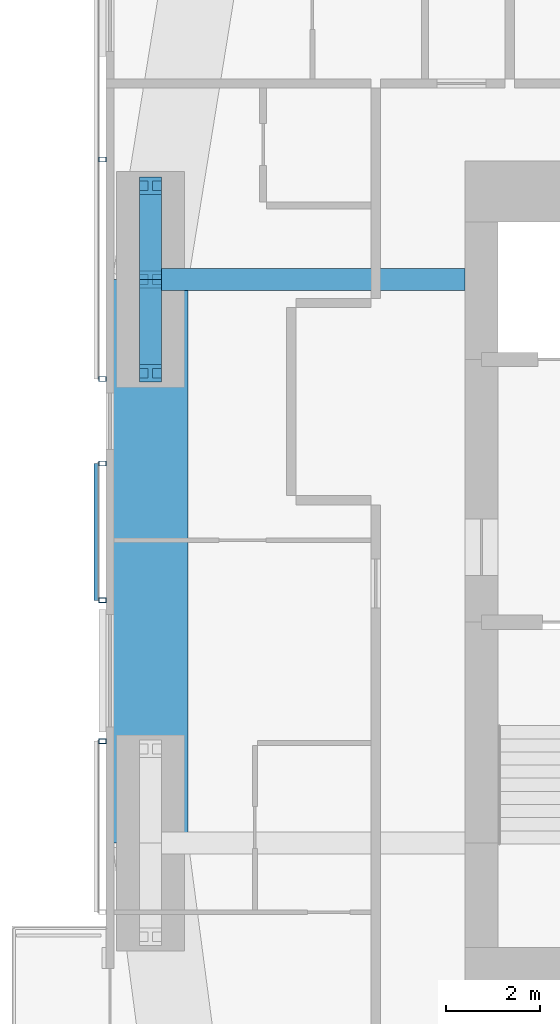
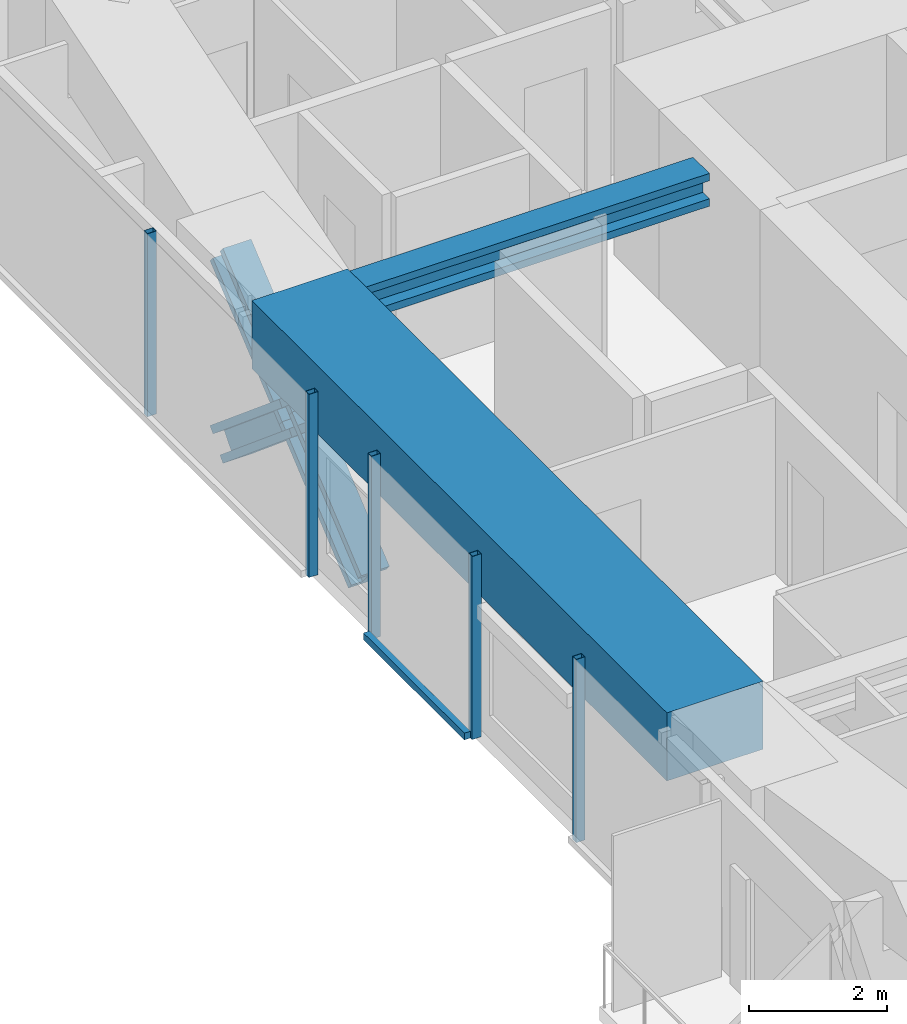
# One storey, part 5 of 23: 10 members, 2 beams, 3 elements without a shape of their own.
"""IFC4 building model written with IfcOpenShell, lengths in metres."""

from ifc_helpers import new_model, si_unit, direction, frame, origin, origin_2d, place, context, subcontext, project, spatial, rectangle, hollow_rectangle, i_section, extrude, material, material_profile, profile_set, type_object, element, aggregate, save


model = new_model("IFC4")

# Units and contexts
model_context = context("Model", 3, precision=1e-05, world=origin(), true_north=direction((0.0, 1.0)))
body_context = subcontext(model_context, "Body", "Model", "MODEL_VIEW")
ifc_project = project(units=[si_unit("LENGTHUNIT", "METRE"), si_unit("AREAUNIT", "SQUARE_METRE"), si_unit("VOLUMEUNIT", "CUBIC_METRE"), si_unit("PLANEANGLEUNIT", "RADIAN"), si_unit("MASSUNIT", "GRAM", prefix="KILO")], contexts=[model_context])

# Site, building, storey
site_placement = place(None, origin())
site = spatial("IfcSite", under=ifc_project, at=site_placement, CompositionType="ELEMENT")
building_placement = place(site_placement, origin())
building = spatial("IfcBuilding", under=site, at=building_placement, Name="Jalousie Tower", CompositionType="ELEMENT")
storey_placement = place(building_placement, frame((0.0, 0.0, 157.699951171875)))
storey = spatial("IfcBuildingStorey", under=building, at=storey_placement, Name="L42", CompositionType="ELEMENT", Elevation=157.699951171875)

# Beam
ifc_material_1 = material(Name="Steel ASTM A992 Grade 50", Category="steel")
ifc_material_profile_1 = material_profile(ifc_material_1, i_section(OverallWidth=0.472412109375, OverallDepth=0.5791015625, WebThickness=0.094970703125, FlangeThickness=0.1298828125, at=origin_2d()), Name="W14X808")
ifc_profile_set_1 = profile_set([ifc_material_profile_1], Name="Steel ASTM A992 Grade 50")
beam_type_1 = type_object("IfcBeamType", Name="LEAN COLLECTOR W14X808", PredefinedType="BEAM", material=ifc_profile_set_1)
beam_1_placement = place(storey_placement, frame((12.949951171875, 25.0, 2.820556640625), z_axis=(1.0, 0.0, 0.0), x_axis=(0.0, 1.0, 0.0)))
element("IfcBeam", 1, at=beam_1_placement, inside=storey, type_object=beam_type_1, Name="Lean collector under L43", PredefinedType="BEAM", context=body_context, shape_type="SweptSolid", body=[
    extrude(i_section(OverallWidth=0.472412109375, OverallDepth=0.5791015625, WebThickness=0.094970703125, FlangeThickness=0.1298828125, at=origin_2d()), origin(), (0.0, 0.0, 1.0), 6.699951171875),
])

# Members
ifc_material_2 = material(Name="Steel ASTM A992 Grade 50", Category="steel")
ifc_material_profile_2 = material_profile(ifc_material_2, i_section(OverallWidth=0.472412109375, OverallDepth=0.5791015625, WebThickness=0.094970703125, FlangeThickness=0.1298828125, at=origin_2d()), Name="W14X808")
ifc_profile_set_2 = profile_set([ifc_material_profile_2], Name="Steel ASTM A992 Grade 50")
member_type_1 = type_object("IfcMemberType", Name="PERIMETER BRACE W14X808", PredefinedType="BRACE", material=ifc_profile_set_2)
member_1_placement = place(storey_placement, frame((12.949951171875, 23.0, -0.599853515625), z_axis=(0.0, 0.766684820047, 0.642023665225), x_axis=(-1.0, 0.0, 0.0)))
element("IfcMember", 2, at=member_1_placement, inside=storey, type_object=member_type_1, Name="Perimeter brace 13 L42 part 1", PredefinedType="BRACE", context=body_context, shape_type="SweptSolid", body=[
    extrude(i_section(OverallWidth=0.472412109375, OverallDepth=0.5791015625, WebThickness=0.094970703125, FlangeThickness=0.1298828125, at=origin_2d()), origin(), (0.0, 0.0, 1.0), 2.608642578125),
])
member_2_placement = place(storey_placement, frame((12.949951171875, 25.0, 1.074951171875), z_axis=(0.0, 0.766638753323, 0.642078672674), x_axis=(-1.0, 0.0, 0.0)))
element("IfcMember", 3, at=member_2_placement, inside=storey, type_object=member_type_1, Name="Perimeter brace 13 L42 part 2", PredefinedType="BRACE", context=body_context, shape_type="SweptSolid", body=[
    extrude(i_section(OverallWidth=0.472412109375, OverallDepth=0.5791015625, WebThickness=0.094970703125, FlangeThickness=0.1298828125, at=origin_2d()), origin(), (0.0, 0.0, 1.0), 2.60888671875),
])
member_3_placement = place(storey_placement, frame((12.949951171875, 27.0, -0.599853515625), z_axis=(0.0, -0.766684820047, 0.642023665225), x_axis=(1.0, 0.0, 0.0)))
element("IfcMember", 4, at=member_3_placement, inside=storey, type_object=member_type_1, Name="Perimeter brace 13 L42 part 3", PredefinedType="BRACE", context=body_context, shape_type="SweptSolid", body=[
    extrude(i_section(OverallWidth=0.472412109375, OverallDepth=0.5791015625, WebThickness=0.094970703125, FlangeThickness=0.1298828125, at=origin_2d()), origin(), (0.0, 0.0, 1.0), 2.608642578125),
])
member_4_placement = place(storey_placement, frame((12.949951171875, 25.0, 1.074951171875), z_axis=(0.0, -0.766638753323, 0.642078672674), x_axis=(1.0, 0.0, 0.0)))
element("IfcMember", 5, at=member_4_placement, inside=storey, type_object=member_type_1, Name="Perimeter brace 13 L42 part 4", PredefinedType="BRACE", context=body_context, shape_type="SweptSolid", body=[
    extrude(i_section(OverallWidth=0.472412109375, OverallDepth=0.5791015625, WebThickness=0.094970703125, FlangeThickness=0.1298828125, at=origin_2d()), origin(), (0.0, 0.0, 1.0), 2.60888671875),
])

# Beam
ifc_material_3 = material(Name="Concrete f'c 40 MPa", Category="concrete")
ifc_material_profile_3 = material_profile(ifc_material_3, rectangle(XDim=1.60009765625, YDim=1.199951171875, at=origin_2d()), Name="RC 1600x1200")
ifc_profile_set_3 = profile_set([ifc_material_profile_3], Name="Concrete f'c 40 MPa")
beam_type_2 = type_object("IfcBeamType", Name="RC BEAM 1600x1200", PredefinedType="BEAM", material=ifc_profile_set_3)
beam_2_placement = place(storey_placement, frame((12.949951171875, 25.0, 2.75), z_axis=(0.0, -1.0, 0.0), x_axis=(1.0, 0.0, 0.0)))
element("IfcBeam", 6, at=beam_2_placement, inside=storey, type_object=beam_type_2, Name="Edge band beam 13-14 under L43", PredefinedType="BEAM", context=body_context, shape_type="SweptSolid", body=[
    extrude(rectangle(XDim=1.60009765625, YDim=1.199951171875, at=origin_2d()), origin(), (0.0, 0.0, 1.0), 12.0),
])

# Curtain wall, members
ifc_material_4 = material(Name="Perforated aluminium sheet", Category="aluminium")
curtain_wall_type = type_object("IfcCurtainWallType", Name="SOLAR SCREEN SS-1", PredefinedType="USERDEFINED", material=ifc_material_4)
curtain_wall_1_placement = place(storey_placement, origin())
curtain_wall_1 = element("IfcCurtainWall", 7, at=curtain_wall_1_placement, inside=storey, type_object=curtain_wall_type, Name="Solar screen L42", ObjectType="SOLAR SCREEN SS-1", PredefinedType="USERDEFINED")
ifc_material_5 = material(Name="Steel ASTM A500 Grade C", Category="steel")
ifc_material_profile_4 = material_profile(ifc_material_5, hollow_rectangle(XDim=0.1015625, YDim=0.15234375, WallThickness=0.00634765625, at=origin_2d()), Name="HSS6X4X1/4")
ifc_profile_set_4 = profile_set([ifc_material_profile_4], Name="Steel ASTM A500 Grade C")
member_type_2 = type_object("IfcMemberType", Name="SOLAR SCREEN SS-1 MULLION", PredefinedType="MULLION", material=ifc_profile_set_4)
member_5_placement = place(storey_placement, frame((11.9287109375, 27.555419921875, -0.119873046875), z_axis=(0.0, 0.0, 1.0), x_axis=(0.0, -1.0, 0.0)))
member_5 = element("IfcMember", 8, at=member_5_placement, type_object=member_type_2, Name="SS1 post 2", PredefinedType="MULLION", context=body_context, shape_type="SweptSolid", body=[
    extrude(hollow_rectangle(XDim=0.1015625, YDim=0.15234375, WallThickness=0.00634765625, at=origin_2d()), origin(), (0.0, 0.0, 1.0), 3.22998046875),
])
member_6_placement = place(storey_placement, frame((11.9287109375, 22.8818359375, -0.119873046875), z_axis=(0.0, 0.0, 1.0), x_axis=(0.0, -1.0, 0.0)))
member_6 = element("IfcMember", 9, at=member_6_placement, type_object=member_type_2, Name="SS1 post 3", PredefinedType="MULLION", context=body_context, shape_type="SweptSolid", body=[
    extrude(hollow_rectangle(XDim=0.1015625, YDim=0.15234375, WallThickness=0.00634765625, at=origin_2d()), origin(), (0.0, 0.0, 1.0), 3.22998046875),
])
aggregate(curtain_wall_1, [member_5, member_6])

curtain_wall_2_placement = place(storey_placement, origin())
curtain_wall_2 = element("IfcCurtainWall", 10, at=curtain_wall_2_placement, inside=storey, type_object=curtain_wall_type, Name="Solar screen L42", ObjectType="SOLAR SCREEN SS-1", PredefinedType="USERDEFINED")
member_7_placement = place(storey_placement, frame((11.9287109375, 21.081787109375, -0.119873046875), z_axis=(0.0, 0.0, 1.0), x_axis=(0.0, -1.0, 0.0)))
member_7 = element("IfcMember", 11, at=member_7_placement, type_object=member_type_2, Name="SS1 post 1", PredefinedType="MULLION", context=body_context, shape_type="SweptSolid", body=[
    extrude(hollow_rectangle(XDim=0.1015625, YDim=0.15234375, WallThickness=0.00634765625, at=origin_2d()), origin(), (0.0, 0.0, 1.0), 3.22998046875),
])
member_8_placement = place(storey_placement, frame((11.9287109375, 18.166015625, -0.119873046875), z_axis=(0.0, 0.0, 1.0), x_axis=(0.0, -1.0, 0.0)))
member_8 = element("IfcMember", 12, at=member_8_placement, type_object=member_type_2, Name="SS1 post 2", PredefinedType="MULLION", context=body_context, shape_type="SweptSolid", body=[
    extrude(hollow_rectangle(XDim=0.1015625, YDim=0.15234375, WallThickness=0.00634765625, at=origin_2d()), origin(), (0.0, 0.0, 1.0), 3.22998046875),
])

# Curtain wall, member
curtain_wall_3_placement = place(storey_placement, origin())
curtain_wall_3 = element("IfcCurtainWall", 13, at=curtain_wall_3_placement, inside=storey, type_object=curtain_wall_type, Name="Solar screen L42", ObjectType="SOLAR SCREEN SS-1", PredefinedType="USERDEFINED")
member_9_placement = place(storey_placement, frame((11.9287109375, 15.166015625, -0.119873046875), z_axis=(0.0, 0.0, 1.0), x_axis=(0.0, -1.0, 0.0)))
member_9 = element("IfcMember", 14, at=member_9_placement, type_object=member_type_2, Name="SS1 post 1", PredefinedType="MULLION", context=body_context, shape_type="SweptSolid", body=[
    extrude(hollow_rectangle(XDim=0.1015625, YDim=0.15234375, WallThickness=0.00634765625, at=origin_2d()), origin(), (0.0, 0.0, 1.0), 3.22998046875),
])
aggregate(curtain_wall_3, [member_9])

# Member
ifc_material_6 = material(Name="Extruded aluminium screen rail", Category="aluminium")
ifc_material_profile_5 = material_profile(ifc_material_6, rectangle(XDim=0.1015625, YDim=0.1201171875, at=origin_2d()), Name="RAIL 102x120")
ifc_profile_set_5 = profile_set([ifc_material_profile_5], Name="Extruded aluminium screen rail")
member_type_3 = type_object("IfcMemberType", Name="SOLAR SCREEN SS-1 TRANSOM", PredefinedType="USERDEFINED", material=ifc_profile_set_5)
member_10_placement = place(storey_placement, frame((11.8017578125, 21.081787109375, -0.06005859375), z_axis=(0.0, -1.0, 0.0), x_axis=(1.0, 0.0, 0.0)))
member_10 = element("IfcMember", 15, at=member_10_placement, type_object=member_type_3, Name="SS1 rail", ObjectType="TRANSOM", PredefinedType="USERDEFINED", context=body_context, shape_type="SweptSolid", body=[
    extrude(rectangle(XDim=0.1015625, YDim=0.1201171875, at=origin_2d()), origin(), (0.0, 0.0, 1.0), 2.915771484375),
])

aggregate(curtain_wall_2, [member_7, member_8, member_10])

save(model, "model.ifc")
